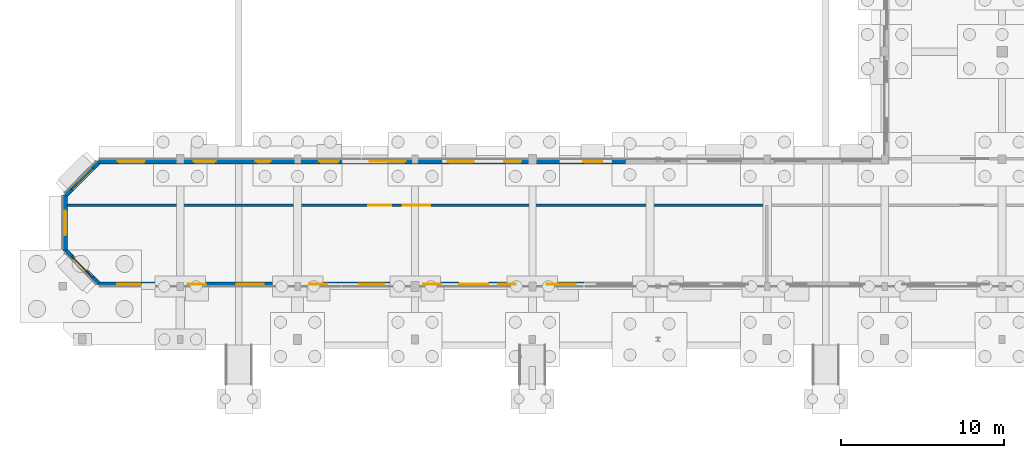
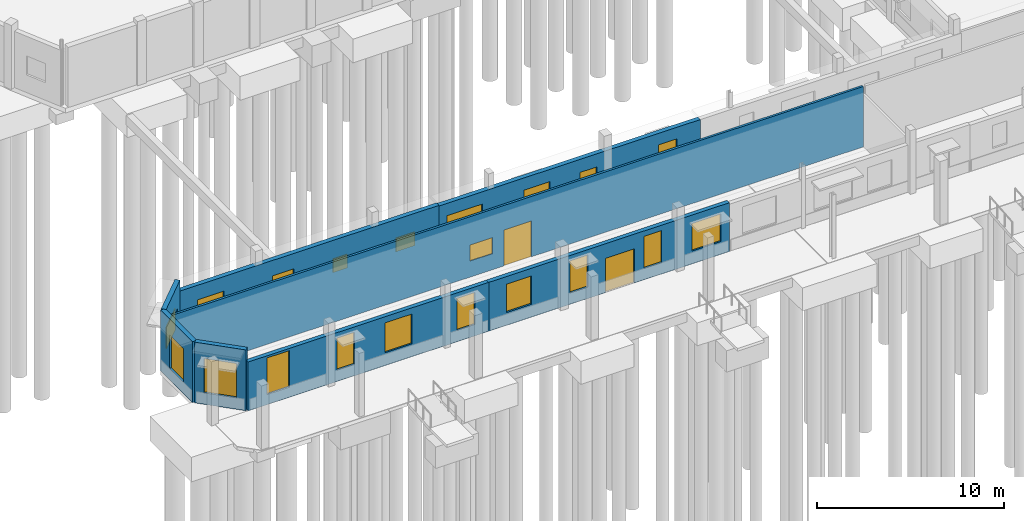
# One storey, part 61 of 93: 20 windows, 8 walls, 2 doors, 22 openings.
"""IFC4 building model written with IfcOpenShell, lengths in metres."""

import ifcopenshell
import ifcopenshell.guid

model = None  # the IFC model being written
_history = None  # IfcOwnerHistory: only IFC2X3 demands one
_inside = {}  # id of a spatial element -> (the spatial element, [elements in it])
_under = {}  # id of a project, library or spatial element -> (it, [spatial elements below it])
_declared = {}  # id of a project -> (the project, [libraries it declares])
_typed = {}  # id of a type object -> (the type object, [elements of that type])
_made_of = {}  # id of a material, layer set ... -> (it, [elements and type objects made of it])


def new_model(schema):
    """Start an empty IFC model of exactly this schema.

    Asked for "IFC4X3", IfcOpenShell would pick the latest addendum, in which some entities
    have other attributes; the version numbers below select the first issue.
    IFC2X3 requires an IfcOwnerHistory on every rooted entity: one is made here for all.
    """
    global model, _history
    if schema == "IFC4X3":
        model = ifcopenshell.file(schema_version=(4, 3, 0, 0))
    else:
        model = ifcopenshell.file(schema=schema)
    _inside.clear()
    _under.clear()
    _declared.clear()
    _typed.clear()
    _made_of.clear()
    _history = None
    if model.schema == "IFC2X3":
        org = make("IfcOrganization", Name="unknown")
        user = make(
            "IfcPersonAndOrganization",
            ThePerson=make("IfcPerson", FamilyName="unknown"),
            TheOrganization=org,
        )
        app = make(
            "IfcApplication",
            ApplicationDeveloper=org,
            Version="unknown",
            ApplicationFullName="unknown",
            ApplicationIdentifier="unknown",
        )
        _history = make(
            "IfcOwnerHistory",
            OwningUser=user,
            OwningApplication=app,
            ChangeAction="ADDED",
            CreationDate=0,
        )
    return model


def make(cls, **values):
    """One entity of the class cls with the attributes given. An attribute that is None is left unset."""
    return model.create_entity(
        cls, **{name: value for name, value in values.items() if value is not None}
    )


def rooted(cls, **values):
    """An entity with a GlobalId (a new one), such as an element, a storey or a relation."""
    return make(cls, GlobalId=ifcopenshell.guid.new(), OwnerHistory=_history, **values)


def si_unit(unit_type, name, prefix=None):
    """IfcSIUnit, for example si_unit("LENGTHUNIT", "METRE", prefix="MILLI")."""
    return make("IfcSIUnit", UnitType=unit_type, Prefix=prefix, Name=name)


def assignment(units):
    """IfcUnitAssignment: the units of a project."""
    return None if units is None else make("IfcUnitAssignment", Units=units)


def point(xyz):
    """IfcCartesianPoint."""
    return None if xyz is None else make("IfcCartesianPoint", Coordinates=xyz)


def direction(xyz):
    """IfcDirection."""
    return None if xyz is None else make("IfcDirection", DirectionRatios=xyz)


def frame(location, z_axis=None, x_axis=None):
    """IfcAxis2Placement3D, a coordinate frame: its origin and axes. An axis left out is left unset."""
    return make(
        "IfcAxis2Placement3D",
        Location=point(location),
        Axis=direction(z_axis),
        RefDirection=direction(x_axis),
    )


def frame_2d(location, x_axis=None):
    """IfcAxis2Placement2D, a coordinate frame in the plane: its origin and x axis."""
    return make(
        "IfcAxis2Placement2D", Location=point(location), RefDirection=direction(x_axis)
    )


def origin():
    """The frame at (0, 0, 0) with its axes left unset."""
    return frame((0.0, 0.0, 0.0))


def place(relative_to, where):
    """IfcLocalPlacement: puts the frame where relative to a parent placement (None: the world)."""
    return make(
        "IfcLocalPlacement", PlacementRelTo=relative_to, RelativePlacement=where
    )


def context(
    kind, dimensions, precision=None, world=None, true_north=None, identifier=None
):
    """IfcGeometricRepresentationContext, for example the 3D "Model" context."""
    return make(
        "IfcGeometricRepresentationContext",
        ContextIdentifier=identifier,
        ContextType=kind,
        CoordinateSpaceDimension=dimensions,
        Precision=precision,
        WorldCoordinateSystem=world,
        TrueNorth=true_north,
    )


def subcontext(parent, identifier, kind, view, scale=None):
    """IfcGeometricRepresentationSubContext, for example "Body" below "Model"."""
    return make(
        "IfcGeometricRepresentationSubContext",
        ContextIdentifier=identifier,
        ContextType=kind,
        ParentContext=parent,
        TargetScale=scale,
        TargetView=view,
    )


def project(units=None, contexts=None):
    """IfcProject with its units and contexts."""
    return rooted(
        "IfcProject",
        Name="project",
        RepresentationContexts=contexts,
        UnitsInContext=assignment(units),
    )


def spatial(cls, under=None, at=None, **own):
    """A site, building, storey or space (cls), placed at a placement, below another one or the project."""
    s = rooted(cls, ObjectPlacement=at, **own)
    if under is not None:
        _under.setdefault(under.id(), (under, []))[1].append(s)
    return s


def profile(cls, at=None, kind="AREA", **sizes):
    """A parametric profile (cls). Its sizes go by their IFC names, for example OverallWidth=200.0."""
    return make(cls, ProfileType=kind, Position=at, **sizes)


def rectangle(**sizes):
    """IfcRectangleProfileDef."""
    return profile("IfcRectangleProfileDef", **sizes)


def extrude(swept, where, along, depth):
    """IfcExtrudedAreaSolid: the profile swept, set in the frame where, extruded along a direction by depth."""
    return make(
        "IfcExtrudedAreaSolid",
        SweptArea=swept,
        Position=where,
        ExtrudedDirection=direction(along),
        Depth=depth,
    )


def shape(context_of_items, identifier, shape_type, items):
    """IfcShapeRepresentation: the items that make up one representation, for example the "Body"."""
    return make(
        "IfcShapeRepresentation",
        ContextOfItems=context_of_items,
        RepresentationIdentifier=identifier,
        RepresentationType=shape_type,
        Items=items,
    )


def material(Name=None, Category=None):
    """IfcMaterial."""
    return make("IfcMaterial", Name=Name, Category=Category)


def layer(
    of_material, thickness, ventilated=None, Name=None, Category=None, Priority=None
):
    """IfcMaterialLayer: one layer of a wall or slab, of a material (None: an air gap)."""
    return make(
        "IfcMaterialLayer",
        Material=of_material,
        LayerThickness=thickness,
        IsVentilated=ventilated,
        Name=Name,
        Category=Category,
        Priority=Priority,
    )


def layer_set(layers, Name=None):
    """IfcMaterialLayerSet."""
    return make("IfcMaterialLayerSet", MaterialLayers=layers, LayerSetName=Name)


def made_of(thing, what):
    """Note that an element or type object is made of a material, layer set ...; save() writes the relation."""
    if what is not None:
        _made_of.setdefault(what.id(), (what, []))[1].append(thing)
    return thing


def type_object(cls, material=None, **own):
    """A type object (cls), such as IfcWallType, which elements share."""
    return made_of(rooted(cls, **own), material)


def element(
    cls,
    number,
    at=None,
    inside=None,
    cuts=None,
    type_object=None,
    material=None,
    context=None,
    identifier="Body",
    shape_type=None,
    held_by="IfcProductDefinitionShape",
    body=None,
    shapes=None,
    **own,
):
    """One element of the class cls, such as IfcWall. Its Tag is "e" and its number.

    at: its placement. inside: the storey or other place that contains it. cuts: it is an
    opening in that element (IfcRelVoidsElement). A single representation is given by context,
    identifier, shape_type and body (its items); several are given by shapes. held_by: the class
    of the entity that holds the representations. save() writes the other relations.
    """
    e = rooted(cls, Tag="e%d" % number, ObjectPlacement=at, **own)
    if body is not None:
        shapes = [shape(context, identifier, shape_type, body)]
    if shapes is not None:
        e.Representation = make(held_by, Representations=shapes)
    if inside is not None:
        _inside.setdefault(inside.id(), (inside, []))[1].append(e)
    if cuts is not None:
        rooted(
            "IfcRelVoidsElement", RelatingBuildingElement=cuts, RelatedOpeningElement=e
        )
    if type_object is not None:
        _typed.setdefault(type_object.id(), (type_object, []))[1].append(e)
    return made_of(e, material)


def fill(opening, filler):
    """IfcRelFillsElement: the door or window that sits in an opening."""
    return rooted(
        "IfcRelFillsElement",
        RelatingOpeningElement=opening,
        RelatedBuildingElement=filler,
    )


def aggregate(whole, parts):
    """IfcRelAggregates: a whole, such as a stair, and the parts it consists of."""
    return rooted("IfcRelAggregates", RelatingObject=whole, RelatedObjects=parts)


def save(model, path):
    """Write the relations noted so far, then the file.

    IfcRelAggregates (storeys below a building ...), IfcRelContainedInSpatialStructure (elements
    in a storey), IfcRelDefinesByType, IfcRelAssociatesMaterial and IfcRelDeclares: one each for
    every whole, place, type object, material and project.
    """
    for whole, parts in _under.values():
        aggregate(whole, parts)
    for where, things in _inside.values():
        rooted(
            "IfcRelContainedInSpatialStructure",
            RelatedElements=things,
            RelatingStructure=where,
        )
    for kind, things in _typed.values():
        rooted("IfcRelDefinesByType", RelatedObjects=things, RelatingType=kind)
    for what, things in _made_of.values():
        rooted("IfcRelAssociatesMaterial", RelatedObjects=things, RelatingMaterial=what)
    for by, libraries in _declared.values():
        rooted("IfcRelDeclares", RelatingContext=by, RelatedDefinitions=libraries)
    model.write(path)


model = new_model("IFC4")

# Units and contexts
model_context = context("Model", 3, precision=1e-05, world=origin(), true_north=direction((0.0, 1.0)))
body_context = subcontext(model_context, "Body", "Model", "MODEL_VIEW")
ifc_project = project(units=[si_unit("LENGTHUNIT", "METRE"), si_unit("AREAUNIT", "SQUARE_METRE"), si_unit("VOLUMEUNIT", "CUBIC_METRE"), si_unit("PLANEANGLEUNIT", "RADIAN"), si_unit("MASSUNIT", "GRAM", prefix="KILO")], contexts=[model_context])

# Site, building, storey
site_placement = place(None, origin())
site = spatial("IfcSite", under=ifc_project, at=site_placement, CompositionType="ELEMENT")
building_placement = place(site_placement, origin())
building = spatial("IfcBuilding", under=site, at=building_placement, Name="Kelanivale Promenade Academy", CompositionType="ELEMENT")
storey_placement = place(building_placement, origin())
storey = spatial("IfcBuildingStorey", under=building, at=storey_placement, Name="L00", CompositionType="ELEMENT", Elevation=0.0)

# Wall, openings, windows
ifc_material_1 = material(Name="Insulated ivory stucco masonry wall 280 mm", Category="masonry")
ifc_layer_1 = layer(ifc_material_1, 0.280029296875)
ifc_layer_set_1 = layer_set([ifc_layer_1], Name="Insulated ivory stucco masonry wall 280 mm")
wall_type_1 = type_object("IfcWallType", Name="EW-02 Wall 280mm", PredefinedType="SOLIDWALL", material=ifc_layer_set_1)
wall_1_placement = place(storey_placement, frame((34.514892578125, 11.260009765625, 0.0), z_axis=(0.0, 0.0, 1.0), x_axis=(-1.0, 0.0, 0.0)))
wall_1 = element("IfcWall", 1, at=wall_1_placement, inside=storey, type_object=wall_type_1, Name="L00 exterior facade wall EW-L00-ORT-0327", PredefinedType="SOLIDWALL", context=body_context, shape_type="SweptSolid", body=[
    extrude(rectangle(XDim=16.163818359375, YDim=0.280029296875, at=frame_2d((8.08203125, 0.0))), origin(), (0.0, 0.0, 1.0), 3.205078125),
])
opening_1_placement = place(wall_1_placement, frame((1.446044921875, 0.0, 1.050048828125)))
opening_1 = element("IfcOpeningElement", 2, at=opening_1_placement, cuts=wall_1, Name="Opening WT-29", PredefinedType="OPENING", context=body_context, shape_type="SweptSolid", body=[
    extrude(rectangle(XDim=1.14990234375, YDim=1.39990234375, at=frame_2d((0.574951171875, 0.699951171875))), frame((0.0, 0.14990234375, 0.0), z_axis=(0.0, -1.0, 0.0), x_axis=(1.0, 0.0, 0.0)), (0.0, 0.0, 1.0), 0.300048828125),
])
opening_2_placement = place(wall_1_placement, frame((6.385986328125, 0.0, 1.050048828125)))
opening_2 = element("IfcOpeningElement", 3, at=opening_2_placement, cuts=wall_1, Name="Opening WT-30", PredefinedType="OPENING", context=body_context, shape_type="SweptSolid", body=[
    extrude(rectangle(XDim=1.050048828125, YDim=1.300048828125, at=frame_2d((0.52490234375, 0.64990234375))), frame((0.0, 0.14990234375, 0.0), z_axis=(0.0, -1.0, 0.0), x_axis=(1.0, 0.0, 0.0)), (0.0, 0.0, 1.0), 0.300048828125),
])
opening_3_placement = place(wall_1_placement, frame((9.302978515625, 0.0, 1.050048828125)))
opening_3 = element("IfcOpeningElement", 4, at=opening_3_placement, cuts=wall_1, Name="Opening WT-07", PredefinedType="OPENING", context=body_context, shape_type="SweptSolid", body=[
    extrude(rectangle(XDim=1.60009765625, YDim=1.35009765625, at=frame_2d((0.800048828125, 0.675048828125))), frame((0.0, 0.14990234375, 0.0), z_axis=(0.0, -1.0, 0.0), x_axis=(1.0, 0.0, 0.0)), (0.0, 0.0, 1.0), 0.300048828125),
])
opening_4_placement = place(wall_1_placement, frame((13.493896484375, 0.0, 1.050048828125)))
opening_4 = element("IfcOpeningElement", 5, at=opening_4_placement, cuts=wall_1, Name="Opening WT-08", PredefinedType="OPENING", context=body_context, shape_type="SweptSolid", body=[
    extrude(rectangle(XDim=2.199951171875, YDim=1.35009765625, at=frame_2d((1.10009765625, 0.675048828125))), frame((0.0, 0.14990234375, 0.0), z_axis=(0.0, -1.0, 0.0), x_axis=(1.0, 0.0, 0.0)), (0.0, 0.0, 1.0), 0.300048828125),
])
ifc_material_2 = material(Name="Bronze anodised aluminium frame with low-E laminated glass", Category="aluminium")
window_type_1 = type_object("IfcWindowType", Name="WT-07 Window 1600x1350", PartitioningType="SINGLE_PANEL", PredefinedType="WINDOW", material=ifc_material_2)
window_1_placement = place(opening_3_placement, origin())
window_1 = element("IfcWindow", 6, at=window_1_placement, inside=storey, type_object=window_type_1, Name="Window WT-07", OverallHeight=1.35009765625, OverallWidth=1.60009765625, PartitioningType="SINGLE_PANEL", PredefinedType="WINDOW", context=body_context, shape_type="SweptSolid", body=[
    extrude(rectangle(XDim=1.60009765625, YDim=1.35009765625, at=frame_2d((0.800048828125, 0.675048828125))), frame((0.0, 0.030029296875, 0.0), z_axis=(0.0, -1.0, 0.0), x_axis=(1.0, 0.0, 0.0)), (0.0, 0.0, 1.0), 0.06005859375),
])
fill(opening_3, window_1)
window_type_2 = type_object("IfcWindowType", Name="WT-08 Window 2200x1350", PartitioningType="SINGLE_PANEL", PredefinedType="WINDOW", material=ifc_material_2)
window_2_placement = place(opening_4_placement, origin())
window_2 = element("IfcWindow", 7, at=window_2_placement, inside=storey, type_object=window_type_2, Name="Window WT-08", OverallHeight=1.35009765625, OverallWidth=2.199951171875, PartitioningType="SINGLE_PANEL", PredefinedType="WINDOW", context=body_context, shape_type="SweptSolid", body=[
    extrude(rectangle(XDim=2.199951171875, YDim=1.35009765625, at=frame_2d((1.10009765625, 0.675048828125))), frame((0.0, 0.030029296875, 0.0), z_axis=(0.0, -1.0, 0.0), x_axis=(1.0, 0.0, 0.0)), (0.0, 0.0, 1.0), 0.06005859375),
])
fill(opening_4, window_2)
window_type_3 = type_object("IfcWindowType", Name="WT-29 Window 1150x1400", PartitioningType="SINGLE_PANEL", PredefinedType="WINDOW", material=ifc_material_2)
window_3_placement = place(opening_1_placement, origin())
window_3 = element("IfcWindow", 8, at=window_3_placement, inside=storey, type_object=window_type_3, Name="Window WT-29", OverallHeight=1.39990234375, OverallWidth=1.14990234375, PartitioningType="SINGLE_PANEL", PredefinedType="WINDOW", context=body_context, shape_type="SweptSolid", body=[
    extrude(rectangle(XDim=1.14990234375, YDim=1.39990234375, at=frame_2d((0.574951171875, 0.699951171875))), frame((0.0, 0.030029296875, 0.0), z_axis=(0.0, -1.0, 0.0), x_axis=(1.0, 0.0, 0.0)), (0.0, 0.0, 1.0), 0.06005859375),
])
fill(opening_1, window_3)
window_type_4 = type_object("IfcWindowType", Name="WT-30 Window 1050x1300", PartitioningType="SINGLE_PANEL", PredefinedType="WINDOW", material=ifc_material_2)
window_4_placement = place(opening_2_placement, origin())
window_4 = element("IfcWindow", 9, at=window_4_placement, inside=storey, type_object=window_type_4, Name="Window WT-30", OverallHeight=1.300048828125, OverallWidth=1.050048828125, PartitioningType="SINGLE_PANEL", PredefinedType="WINDOW", context=body_context, shape_type="SweptSolid", body=[
    extrude(rectangle(XDim=1.050048828125, YDim=1.300048828125, at=frame_2d((0.52490234375, 0.64990234375))), frame((0.0, 0.030029296875, 0.0), z_axis=(0.0, -1.0, 0.0), x_axis=(1.0, 0.0, 0.0)), (0.0, 0.0, 1.0), 0.06005859375),
])
fill(opening_2, window_4)

wall_2_placement = place(storey_placement, frame((18.35107421875, 11.260009765625, 0.0), z_axis=(0.0, 0.0, 1.0), x_axis=(-1.0, 0.0, 0.0)))
wall_2 = element("IfcWall", 10, at=wall_2_placement, inside=storey, type_object=wall_type_1, Name="L00 exterior facade wall EW-L00-ORT-0328", PredefinedType="SOLIDWALL", context=body_context, shape_type="SweptSolid", body=[
    extrude(rectangle(XDim=16.1650390625, YDim=0.280029296875, at=frame_2d((8.08251953125, 0.0))), origin(), (0.0, 0.0, 1.0), 3.2548828125),
])
opening_5_placement = place(wall_2_placement, frame((1.4208984375, 0.0, 1.050048828125)))
opening_5 = element("IfcOpeningElement", 11, at=opening_5_placement, cuts=wall_2, Name="Opening WT-09", PredefinedType="OPENING", context=body_context, shape_type="SweptSolid", body=[
    extrude(rectangle(XDim=1.199951171875, YDim=0.89990234375, at=frame_2d((0.60009765625, 0.449951171875))), frame((0.0, 0.14990234375, 0.0), z_axis=(0.0, -1.0, 0.0), x_axis=(1.0, 0.0, 0.0)), (0.0, 0.0, 1.0), 0.300048828125),
])
opening_6_placement = place(wall_2_placement, frame((5.612060546875, 0.0, 1.050048828125)))
opening_6 = element("IfcOpeningElement", 12, at=opening_6_placement, cuts=wall_2, Name="Opening WT-10", PredefinedType="OPENING", context=body_context, shape_type="SweptSolid", body=[
    extrude(rectangle(XDim=0.89990234375, YDim=0.89990234375, at=frame_2d((0.449951171875, 0.449951171875))), frame((0.0, 0.14990234375, 0.0), z_axis=(0.0, -1.0, 0.0), x_axis=(1.0, 0.0, 0.0)), (0.0, 0.0, 1.0), 0.300048828125),
])
opening_7_placement = place(wall_2_placement, frame((8.97802734375, 0.0, 1.050048828125)))
opening_7 = element("IfcOpeningElement", 13, at=opening_7_placement, cuts=wall_2, Name="Opening WT-34", PredefinedType="OPENING", context=body_context, shape_type="SweptSolid", body=[
    extrude(rectangle(XDim=1.35009765625, YDim=1.199951171875, at=frame_2d((0.675048828125, 0.60009765625))), frame((0.0, 0.14990234375, 0.0), z_axis=(0.0, -1.0, 0.0), x_axis=(1.0, 0.0, 0.0)), (0.0, 0.0, 1.0), 0.300048828125),
])
opening_8_placement = place(wall_2_placement, frame((13.319091796875, 0.0, 1.050048828125)))
opening_8 = element("IfcOpeningElement", 14, at=opening_8_placement, cuts=wall_2, Name="Opening WT-35", PredefinedType="OPENING", context=body_context, shape_type="SweptSolid", body=[
    extrude(rectangle(XDim=1.64990234375, YDim=1.25, at=frame_2d((0.824951171875, 0.625))), frame((0.0, 0.14990234375, 0.0), z_axis=(0.0, -1.0, 0.0), x_axis=(1.0, 0.0, 0.0)), (0.0, 0.0, 1.0), 0.300048828125),
])
window_type_5 = type_object("IfcWindowType", Name="WT-09 Window 1200x900", PartitioningType="SINGLE_PANEL", PredefinedType="WINDOW", material=ifc_material_2)
window_5_placement = place(opening_5_placement, origin())
window_5 = element("IfcWindow", 15, at=window_5_placement, inside=storey, type_object=window_type_5, Name="Window WT-09", OverallHeight=0.89990234375, OverallWidth=1.199951171875, PartitioningType="SINGLE_PANEL", PredefinedType="WINDOW", context=body_context, shape_type="SweptSolid", body=[
    extrude(rectangle(XDim=1.199951171875, YDim=0.89990234375, at=frame_2d((0.60009765625, 0.449951171875))), frame((0.0, 0.030029296875, 0.0), z_axis=(0.0, -1.0, 0.0), x_axis=(1.0, 0.0, 0.0)), (0.0, 0.0, 1.0), 0.06005859375),
])
fill(opening_5, window_5)
window_type_6 = type_object("IfcWindowType", Name="WT-10 Window 900x900", PartitioningType="SINGLE_PANEL", PredefinedType="WINDOW", material=ifc_material_2)
window_6_placement = place(opening_6_placement, origin())
window_6 = element("IfcWindow", 16, at=window_6_placement, inside=storey, type_object=window_type_6, Name="Window WT-10", OverallHeight=0.89990234375, OverallWidth=0.89990234375, PartitioningType="SINGLE_PANEL", PredefinedType="WINDOW", context=body_context, shape_type="SweptSolid", body=[
    extrude(rectangle(XDim=0.89990234375, YDim=0.89990234375, at=frame_2d((0.449951171875, 0.449951171875))), frame((0.0, 0.030029296875, 0.0), z_axis=(0.0, -1.0, 0.0), x_axis=(1.0, 0.0, 0.0)), (0.0, 0.0, 1.0), 0.06005859375),
])
fill(opening_6, window_6)
window_type_7 = type_object("IfcWindowType", Name="WT-34 Window 1350x1200", PartitioningType="SINGLE_PANEL", PredefinedType="WINDOW", material=ifc_material_2)
window_7_placement = place(opening_7_placement, origin())
window_7 = element("IfcWindow", 17, at=window_7_placement, inside=storey, type_object=window_type_7, Name="Window WT-34", OverallHeight=1.199951171875, OverallWidth=1.35009765625, PartitioningType="SINGLE_PANEL", PredefinedType="WINDOW", context=body_context, shape_type="SweptSolid", body=[
    extrude(rectangle(XDim=1.35009765625, YDim=1.199951171875, at=frame_2d((0.675048828125, 0.60009765625))), frame((0.0, 0.030029296875, 0.0), z_axis=(0.0, -1.0, 0.0), x_axis=(1.0, 0.0, 0.0)), (0.0, 0.0, 1.0), 0.06005859375),
])
fill(opening_7, window_7)
window_type_8 = type_object("IfcWindowType", Name="WT-35 Window 1650x1250", PartitioningType="SINGLE_PANEL", PredefinedType="WINDOW", material=ifc_material_2)
window_8_placement = place(opening_8_placement, origin())
window_8 = element("IfcWindow", 18, at=window_8_placement, inside=storey, type_object=window_type_8, Name="Window WT-35", OverallHeight=1.25, OverallWidth=1.64990234375, PartitioningType="SINGLE_PANEL", PredefinedType="WINDOW", context=body_context, shape_type="SweptSolid", body=[
    extrude(rectangle(XDim=1.64990234375, YDim=1.25, at=frame_2d((0.824951171875, 0.625))), frame((0.0, 0.030029296875, 0.0), z_axis=(0.0, -1.0, 0.0), x_axis=(1.0, 0.0, 0.0)), (0.0, 0.0, 1.0), 0.06005859375),
])
fill(opening_8, window_8)

# Wall, opening, window
wall_3_placement = place(storey_placement, frame((2.197998046875, 11.216064453125, 0.0), z_axis=(0.0, 0.0, 1.0), x_axis=(-0.707063922334, -0.707149637442, 0.0)))
wall_3 = element("IfcWall", 19, at=wall_3_placement, inside=storey, type_object=wall_type_1, Name="L00 exterior facade wall EW-L00-ORT-0329", PredefinedType="SOLIDWALL", context=body_context, shape_type="SweptSolid", body=[
    extrude(rectangle(XDim=2.848388671875, YDim=0.280029296875, at=frame_2d((1.42431640625, 0.0))), origin(), (0.0, 0.0, 1.0), 3.97998046875),
])
opening_9_placement = place(wall_3_placement, frame((0.4990234375, 0.0, 1.050048828125)))
opening_9 = element("IfcOpeningElement", 20, at=opening_9_placement, cuts=wall_3, Name="Opening WT-36", PredefinedType="OPENING", context=body_context, shape_type="SweptSolid", body=[
    extrude(rectangle(XDim=1.85009765625, YDim=1.39990234375, at=frame_2d((0.925048828125, 0.699951171875))), frame((0.0, 0.14990234375, 0.0), z_axis=(0.0, -1.0, 0.0), x_axis=(1.0, 0.0, 0.0)), (0.0, 0.0, 1.0), 0.300048828125),
])
window_type_9 = type_object("IfcWindowType", Name="WT-36 Window 1850x1400", PartitioningType="SINGLE_PANEL", PredefinedType="WINDOW", material=ifc_material_2)
window_9_placement = place(opening_9_placement, origin())
window_9 = element("IfcWindow", 21, at=window_9_placement, inside=storey, type_object=window_type_9, Name="Window WT-36", OverallHeight=1.39990234375, OverallWidth=1.85009765625, PartitioningType="SINGLE_PANEL", PredefinedType="WINDOW", context=body_context, shape_type="SweptSolid", body=[
    extrude(rectangle(XDim=1.85009765625, YDim=1.39990234375, at=frame_2d((0.925048828125, 0.699951171875))), frame((0.0, 0.030029296875, 0.0), z_axis=(0.0, -1.0, 0.0), x_axis=(1.0, 0.0, 0.0)), (0.0, 0.0, 1.0), 0.06005859375),
])
fill(opening_9, window_9)

wall_4_placement = place(storey_placement, frame((0.139892578125, 9.214111328125, 0.0), z_axis=(0.0, 0.0, 1.0), x_axis=(0.0, -1.0, 0.0)))
wall_4 = element("IfcWall", 22, at=wall_4_placement, inside=storey, type_object=wall_type_1, Name="L00 exterior facade wall EW-L00-ORT-0330", PredefinedType="SOLIDWALL", context=body_context, shape_type="SweptSolid", body=[
    extrude(rectangle(XDim=3.42822265625, YDim=0.280029296875, at=frame_2d((1.714111328125, 0.0))), origin(), (0.0, 0.0, 1.0), 3.97998046875),
])
opening_10_placement = place(wall_4_placement, frame((0.964111328125, 0.0, 0.75)))
opening_10 = element("IfcOpeningElement", 23, at=opening_10_placement, cuts=wall_4, Name="Opening WT-11", PredefinedType="OPENING", context=body_context, shape_type="SweptSolid", body=[
    extrude(rectangle(XDim=1.5, YDim=2.199951171875, at=frame_2d((0.75, 1.10009765625))), frame((0.0, 0.14990234375, 0.0), z_axis=(0.0, -1.0, 0.0), x_axis=(1.0, 0.0, 0.0)), (0.0, 0.0, 1.0), 0.300048828125),
])
window_type_10 = type_object("IfcWindowType", Name="WT-11 Window 1500x2200", PartitioningType="SINGLE_PANEL", PredefinedType="WINDOW", material=ifc_material_2)
window_10_placement = place(opening_10_placement, origin())
window_10 = element("IfcWindow", 24, at=window_10_placement, inside=storey, type_object=window_type_10, Name="Window WT-11", OverallHeight=2.199951171875, OverallWidth=1.5, PartitioningType="SINGLE_PANEL", PredefinedType="WINDOW", context=body_context, shape_type="SweptSolid", body=[
    extrude(rectangle(XDim=1.5, YDim=2.199951171875, at=frame_2d((0.75, 1.10009765625))), frame((0.0, 0.030029296875, 0.0), z_axis=(0.0, -1.0, 0.0), x_axis=(1.0, 0.0, 0.0)), (0.0, 0.0, 1.0), 0.06005859375),
])
fill(opening_10, window_10)

wall_5_placement = place(storey_placement, frame((0.18408203125, 5.798095703125, 0.0), z_axis=(0.0, 0.0, 1.0), x_axis=(0.707063922334, -0.707149637442, 0.0)))
wall_5 = element("IfcWall", 25, at=wall_5_placement, inside=storey, type_object=wall_type_1, Name="L00 exterior facade wall EW-L00-ORT-0331", PredefinedType="SOLIDWALL", context=body_context, shape_type="SweptSolid", body=[
    extrude(rectangle(XDim=2.848388671875, YDim=0.280029296875, at=frame_2d((1.42431640625, 0.0))), origin(), (0.0, 0.0, 1.0), 3.97998046875),
])
opening_11_placement = place(wall_5_placement, frame((0.52392578125, 0.0, 0.75)))
opening_11 = element("IfcOpeningElement", 26, at=opening_11_placement, cuts=wall_5, Name="Opening WT-12", PredefinedType="OPENING", context=body_context, shape_type="SweptSolid", body=[
    extrude(rectangle(XDim=1.800048828125, YDim=2.25, at=frame_2d((0.89990234375, 1.125))), frame((0.0, 0.14990234375, 0.0), z_axis=(0.0, -1.0, 0.0), x_axis=(1.0, 0.0, 0.0)), (0.0, 0.0, 1.0), 0.300048828125),
])
window_type_11 = type_object("IfcWindowType", Name="WT-12 Window 1800x2250", PartitioningType="SINGLE_PANEL", PredefinedType="WINDOW", material=ifc_material_2)
window_11_placement = place(opening_11_placement, origin())
window_11 = element("IfcWindow", 27, at=window_11_placement, inside=storey, type_object=window_type_11, Name="Window WT-12", OverallHeight=2.25, OverallWidth=1.800048828125, PartitioningType="SINGLE_PANEL", PredefinedType="WINDOW", context=body_context, shape_type="SweptSolid", body=[
    extrude(rectangle(XDim=1.800048828125, YDim=2.25, at=frame_2d((0.89990234375, 1.125))), frame((0.0, 0.030029296875, 0.0), z_axis=(0.0, -1.0, 0.0), x_axis=(1.0, 0.0, 0.0)), (0.0, 0.0, 1.0), 0.06005859375),
])
fill(opening_11, window_11)

# Wall, openings, windows
ifc_material_3 = material(Name="Insulated granite-faced masonry wall 260 mm", Category="masonry")
ifc_layer_2 = layer(ifc_material_3, 0.260009765625)
ifc_layer_set_2 = layer_set([ifc_layer_2], Name="Insulated granite-faced masonry wall 260 mm")
wall_type_2 = type_object("IfcWallType", Name="EW-03 Wall 260mm", PredefinedType="SOLIDWALL", material=ifc_layer_set_2)
wall_6_placement = place(storey_placement, frame((2.18994140625, 3.739990234375, 0.0), z_axis=(0.0, 0.0, 1.0), x_axis=(1.0, 0.0, 0.0)))
wall_6 = element("IfcWall", 28, at=wall_6_placement, inside=storey, type_object=wall_type_2, Name="L00 exterior facade wall EW-L00-ORT-0332", PredefinedType="SOLIDWALL", context=body_context, shape_type="SweptSolid", body=[
    extrude(rectangle(XDim=14.89306640625, YDim=0.260009765625, at=frame_2d((7.446533203125, 0.0))), origin(), (0.0, 0.0, 1.0), 3.205078125),
])
opening_12_placement = place(wall_6_placement, frame((1.162109375, 0.0, 0.6650390625)))
opening_12 = element("IfcOpeningElement", 29, at=opening_12_placement, cuts=wall_6, Name="Opening WT-13", PredefinedType="OPENING", context=body_context, shape_type="SweptSolid", body=[
    extrude(rectangle(XDim=1.39990234375, YDim=2.39990234375, at=frame_2d((0.699951171875, 1.199951171875))), frame((0.0, 0.14013671875, 0.0), z_axis=(0.0, -1.0, 0.0), x_axis=(1.0, 0.0, 0.0)), (0.0, 0.0, 1.0), 0.280029296875),
])
opening_13_placement = place(wall_6_placement, frame((5.485107421875, 0.0, 0.75)))
opening_13 = element("IfcOpeningElement", 30, at=opening_13_placement, cuts=wall_6, Name="Opening WT-17", PredefinedType="OPENING", context=body_context, shape_type="SweptSolid", body=[
    extrude(rectangle(XDim=1.10009765625, YDim=2.10009765625, at=frame_2d((0.550048828125, 1.050048828125))), frame((0.0, 0.14013671875, 0.0), z_axis=(0.0, -1.0, 0.0), x_axis=(1.0, 0.0, 0.0)), (0.0, 0.0, 1.0), 0.280029296875),
])
opening_14_placement = place(wall_6_placement, frame((8.48291015625, 0.0, 0.85009765625)))
opening_14 = element("IfcOpeningElement", 31, at=opening_14_placement, cuts=wall_6, Name="Opening WT-16", PredefinedType="OPENING", context=body_context, shape_type="SweptSolid", body=[
    extrude(rectangle(XDim=1.64990234375, YDim=1.949951171875, at=frame_2d((0.824951171875, 0.97509765625))), frame((0.0, 0.14013671875, 0.0), z_axis=(0.0, -1.0, 0.0), x_axis=(1.0, 0.0, 0.0)), (0.0, 0.0, 1.0), 0.280029296875),
])
opening_15_placement = place(wall_6_placement, frame((12.930908203125, 0.0, 0.75)))
opening_15 = element("IfcOpeningElement", 32, at=opening_15_placement, cuts=wall_6, Name="Opening WT-17", PredefinedType="OPENING", context=body_context, shape_type="SweptSolid", body=[
    extrude(rectangle(XDim=1.10009765625, YDim=2.10009765625, at=frame_2d((0.550048828125, 1.050048828125))), frame((0.0, 0.14013671875, 0.0), z_axis=(0.0, -1.0, 0.0), x_axis=(1.0, 0.0, 0.0)), (0.0, 0.0, 1.0), 0.280029296875),
])
window_type_12 = type_object("IfcWindowType", Name="WT-13 Window 1400x2400", PartitioningType="SINGLE_PANEL", PredefinedType="WINDOW", material=ifc_material_2)
window_12_placement = place(opening_12_placement, origin())
window_12 = element("IfcWindow", 33, at=window_12_placement, inside=storey, type_object=window_type_12, Name="Window WT-13", OverallHeight=2.39990234375, OverallWidth=1.39990234375, PartitioningType="SINGLE_PANEL", PredefinedType="WINDOW", context=body_context, shape_type="SweptSolid", body=[
    extrude(rectangle(XDim=1.39990234375, YDim=2.39990234375, at=frame_2d((0.699951171875, 1.199951171875))), frame((0.0, 0.030029296875, 0.0), z_axis=(0.0, -1.0, 0.0), x_axis=(1.0, 0.0, 0.0)), (0.0, 0.0, 1.0), 0.06005859375),
])
fill(opening_12, window_12)
window_type_13 = type_object("IfcWindowType", Name="WT-16 Window 1650x1950", PartitioningType="SINGLE_PANEL", PredefinedType="WINDOW", material=ifc_material_2)
window_13_placement = place(opening_14_placement, origin())
window_13 = element("IfcWindow", 34, at=window_13_placement, inside=storey, type_object=window_type_13, Name="Window WT-16", OverallHeight=1.949951171875, OverallWidth=1.64990234375, PartitioningType="SINGLE_PANEL", PredefinedType="WINDOW", context=body_context, shape_type="SweptSolid", body=[
    extrude(rectangle(XDim=1.64990234375, YDim=1.949951171875, at=frame_2d((0.824951171875, 0.97509765625))), frame((0.0, 0.030029296875, 0.0), z_axis=(0.0, -1.0, 0.0), x_axis=(1.0, 0.0, 0.0)), (0.0, 0.0, 1.0), 0.06005859375),
])
fill(opening_14, window_13)
window_type_14 = type_object("IfcWindowType", Name="WT-17 Window 1100x2100", PartitioningType="SINGLE_PANEL", PredefinedType="WINDOW", material=ifc_material_2)
window_14_placement = place(opening_13_placement, origin())
window_14 = element("IfcWindow", 35, at=window_14_placement, inside=storey, type_object=window_type_14, Name="Window WT-17", OverallHeight=2.10009765625, OverallWidth=1.10009765625, PartitioningType="SINGLE_PANEL", PredefinedType="WINDOW", context=body_context, shape_type="SweptSolid", body=[
    extrude(rectangle(XDim=1.10009765625, YDim=2.10009765625, at=frame_2d((0.550048828125, 1.050048828125))), frame((0.0, 0.030029296875, 0.0), z_axis=(0.0, -1.0, 0.0), x_axis=(1.0, 0.0, 0.0)), (0.0, 0.0, 1.0), 0.06005859375),
])
fill(opening_13, window_14)
window_15_placement = place(opening_15_placement, origin())
window_15 = element("IfcWindow", 36, at=window_15_placement, inside=storey, type_object=window_type_14, Name="Window WT-17", OverallHeight=2.10009765625, OverallWidth=1.10009765625, PartitioningType="SINGLE_PANEL", PredefinedType="WINDOW", context=body_context, shape_type="SweptSolid", body=[
    extrude(rectangle(XDim=1.10009765625, YDim=2.10009765625, at=frame_2d((0.550048828125, 1.050048828125))), frame((0.0, 0.030029296875, 0.0), z_axis=(0.0, -1.0, 0.0), x_axis=(1.0, 0.0, 0.0)), (0.0, 0.0, 1.0), 0.06005859375),
])
fill(opening_15, window_15)

# Wall, openings, door, windows
wall_7_placement = place(storey_placement, frame((17.0830078125, 3.739990234375, 0.0), z_axis=(0.0, 0.0, 1.0), x_axis=(1.0, 0.0, 0.0)))
wall_7 = element("IfcWall", 37, at=wall_7_placement, inside=storey, type_object=wall_type_2, Name="L00 exterior facade wall EW-L00-ORT-0333", PredefinedType="SOLIDWALL", context=body_context, shape_type="SweptSolid", body=[
    extrude(rectangle(XDim=14.89306640625, YDim=0.260009765625, at=frame_2d((7.446533203125, 0.0))), origin(), (0.0, 0.0, 1.0), 3.205078125),
])
opening_16_placement = place(wall_7_placement, frame((7.217041015625, 0.0, 0.0)))
opening_16 = element("IfcOpeningElement", 38, at=opening_16_placement, cuts=wall_7, Name="Opening ED-08", PredefinedType="OPENING", context=body_context, shape_type="SweptSolid", body=[
    extrude(rectangle(XDim=1.800048828125, YDim=2.25, at=frame_2d((0.89990234375, 1.125))), frame((0.0, 0.14013671875, 0.0), z_axis=(0.0, -1.0, 0.0), x_axis=(1.0, 0.0, 0.0)), (0.0, 0.0, 1.0), 0.280029296875),
])
opening_17_placement = place(wall_7_placement, frame((1.0869140625, 0.0, 0.85009765625)))
opening_17 = element("IfcOpeningElement", 39, at=opening_17_placement, cuts=wall_7, Name="Opening WT-31", PredefinedType="OPENING", context=body_context, shape_type="SweptSolid", body=[
    extrude(rectangle(XDim=1.550048828125, YDim=1.85009765625, at=frame_2d((0.77490234375, 0.925048828125))), frame((0.0, 0.14013671875, 0.0), z_axis=(0.0, -1.0, 0.0), x_axis=(1.0, 0.0, 0.0)), (0.0, 0.0, 1.0), 0.280029296875),
])
opening_18_placement = place(wall_7_placement, frame((5.034912109375, 0.0, 0.75)))
opening_18 = element("IfcOpeningElement", 40, at=opening_18_placement, cuts=wall_7, Name="Opening WT-17", PredefinedType="OPENING", context=body_context, shape_type="SweptSolid", body=[
    extrude(rectangle(XDim=1.10009765625, YDim=2.10009765625, at=frame_2d((0.550048828125, 1.050048828125))), frame((0.0, 0.14013671875, 0.0), z_axis=(0.0, -1.0, 0.0), x_axis=(1.0, 0.0, 0.0)), (0.0, 0.0, 1.0), 0.280029296875),
])
opening_19_placement = place(wall_7_placement, frame((9.60791015625, 0.0, 0.75)))
opening_19 = element("IfcOpeningElement", 41, at=opening_19_placement, cuts=wall_7, Name="Opening WT-17", PredefinedType="OPENING", context=body_context, shape_type="SweptSolid", body=[
    extrude(rectangle(XDim=1.10009765625, YDim=2.10009765625, at=frame_2d((0.550048828125, 1.050048828125))), frame((0.0, 0.14013671875, 0.0), z_axis=(0.0, -1.0, 0.0), x_axis=(1.0, 0.0, 0.0)), (0.0, 0.0, 1.0), 0.280029296875),
])
opening_20_placement = place(wall_7_placement, frame((12.5810546875, 0.0, 0.85009765625)))
opening_20 = element("IfcOpeningElement", 42, at=opening_20_placement, cuts=wall_7, Name="Opening WT-01", PredefinedType="OPENING", context=body_context, shape_type="SweptSolid", body=[
    extrude(rectangle(XDim=1.800048828125, YDim=1.800048828125, at=frame_2d((0.89990234375, 0.89990234375))), frame((0.0, 0.14013671875, 0.0), z_axis=(0.0, -1.0, 0.0), x_axis=(1.0, 0.0, 0.0)), (0.0, 0.0, 1.0), 0.280029296875),
])
ifc_material_4 = material(Name="Bronze anodised aluminium and laminated glass", Category="aluminium")
door_type_1 = type_object("IfcDoorType", Name="DT-X03 Door 1800x2250", OperationType="NOTDEFINED", PredefinedType="DOOR", material=ifc_material_4)
door_1_placement = place(opening_16_placement, frame((1.800048828125, 0.0, 0.0), z_axis=(0.0, 0.0, 1.0), x_axis=(-1.0, 0.0, 0.0)))
door_1 = element("IfcDoor", 43, at=door_1_placement, inside=storey, type_object=door_type_1, Name="Promenade Dining Hall final exit door ED-08", OperationType="DOUBLE_DOOR_SINGLE_SWING", OverallHeight=2.25, OverallWidth=1.800048828125, PredefinedType="DOOR", context=body_context, shape_type="SweptSolid", body=[
    extrude(rectangle(XDim=1.800048828125, YDim=2.25, at=frame_2d((0.89990234375, 1.125))), frame((0.0, 0.02490234375, 0.0), z_axis=(0.0, -1.0, 0.0), x_axis=(1.0, 0.0, 0.0)), (0.0, 0.0, 1.0), 0.050048828125),
])
fill(opening_16, door_1)
window_type_15 = type_object("IfcWindowType", Name="WT-01 Window 1800x1800", PartitioningType="SINGLE_PANEL", PredefinedType="WINDOW", material=ifc_material_2)
window_16_placement = place(opening_20_placement, origin())
window_16 = element("IfcWindow", 44, at=window_16_placement, inside=storey, type_object=window_type_15, Name="Window WT-01", OverallHeight=1.800048828125, OverallWidth=1.800048828125, PartitioningType="SINGLE_PANEL", PredefinedType="WINDOW", context=body_context, shape_type="SweptSolid", body=[
    extrude(rectangle(XDim=1.800048828125, YDim=1.800048828125, at=frame_2d((0.89990234375, 0.89990234375))), frame((0.0, 0.030029296875, 0.0), z_axis=(0.0, -1.0, 0.0), x_axis=(1.0, 0.0, 0.0)), (0.0, 0.0, 1.0), 0.06005859375),
])
fill(opening_20, window_16)
window_17_placement = place(opening_18_placement, origin())
window_17 = element("IfcWindow", 45, at=window_17_placement, inside=storey, type_object=window_type_14, Name="Window WT-17", OverallHeight=2.10009765625, OverallWidth=1.10009765625, PartitioningType="SINGLE_PANEL", PredefinedType="WINDOW", context=body_context, shape_type="SweptSolid", body=[
    extrude(rectangle(XDim=1.10009765625, YDim=2.10009765625, at=frame_2d((0.550048828125, 1.050048828125))), frame((0.0, 0.030029296875, 0.0), z_axis=(0.0, -1.0, 0.0), x_axis=(1.0, 0.0, 0.0)), (0.0, 0.0, 1.0), 0.06005859375),
])
fill(opening_18, window_17)
window_18_placement = place(opening_19_placement, origin())
window_18 = element("IfcWindow", 46, at=window_18_placement, inside=storey, type_object=window_type_14, Name="Window WT-17", OverallHeight=2.10009765625, OverallWidth=1.10009765625, PartitioningType="SINGLE_PANEL", PredefinedType="WINDOW", context=body_context, shape_type="SweptSolid", body=[
    extrude(rectangle(XDim=1.10009765625, YDim=2.10009765625, at=frame_2d((0.550048828125, 1.050048828125))), frame((0.0, 0.030029296875, 0.0), z_axis=(0.0, -1.0, 0.0), x_axis=(1.0, 0.0, 0.0)), (0.0, 0.0, 1.0), 0.06005859375),
])
fill(opening_19, window_18)
window_type_16 = type_object("IfcWindowType", Name="WT-31 Window 1550x1850", PartitioningType="SINGLE_PANEL", PredefinedType="WINDOW", material=ifc_material_2)
window_19_placement = place(opening_17_placement, origin())
window_19 = element("IfcWindow", 47, at=window_19_placement, inside=storey, type_object=window_type_16, Name="Window WT-31", OverallHeight=1.85009765625, OverallWidth=1.550048828125, PartitioningType="SINGLE_PANEL", PredefinedType="WINDOW", context=body_context, shape_type="SweptSolid", body=[
    extrude(rectangle(XDim=1.550048828125, YDim=1.85009765625, at=frame_2d((0.77490234375, 0.925048828125))), frame((0.0, 0.030029296875, 0.0), z_axis=(0.0, -1.0, 0.0), x_axis=(1.0, 0.0, 0.0)), (0.0, 0.0, 1.0), 0.06005859375),
])
fill(opening_17, window_19)

# Wall, openings, door, window
ifc_material_5 = material(Name="Acoustic double-stud gypsum board partition 140 mm", Category="masonry")
ifc_layer_3 = layer(ifc_material_5, 0.139892578125)
ifc_layer_set_3 = layer_set([ifc_layer_3], Name="Acoustic double-stud gypsum board partition 140 mm")
wall_type_3 = type_object("IfcWallType", Name="IW-04 Wall 140mm", PredefinedType="PARTITIONING", material=ifc_layer_set_3)
wall_8_placement = place(storey_placement, frame((43.10205078125, 8.570068359375, 0.0), z_axis=(0.0, 0.0, 1.0), x_axis=(-1.0, 0.0, 0.0)))
wall_8 = element("IfcWall", 48, at=wall_8_placement, inside=storey, type_object=wall_type_3, Name="L00 partition Promenade Dining Hall", PredefinedType="PARTITIONING", context=body_context, shape_type="SweptSolid", body=[
    extrude(rectangle(XDim=42.823974609375, YDim=0.139892578125, at=frame_2d((21.412109375, 0.0))), origin(), (0.0, 0.0, 1.0), 3.955078125),
])
opening_21_placement = place(wall_8_placement, frame((20.56201171875, 0.0, 0.0)))
opening_21 = element("IfcOpeningElement", 49, at=opening_21_placement, cuts=wall_8, Name="Opening ID-L00-022", PredefinedType="OPENING", context=body_context, shape_type="SweptSolid", body=[
    extrude(rectangle(XDim=1.699951171875, YDim=2.35009765625, at=frame_2d((0.85009765625, 1.175048828125))), frame((0.0, 0.080078125, 0.0), z_axis=(0.0, -1.0, 0.0), x_axis=(1.0, 0.0, 0.0)), (0.0, 0.0, 1.0), 0.159912109375),
])
opening_22_placement = place(wall_8_placement, frame((22.9619140625, 0.0, 1.050048828125)))
opening_22 = element("IfcOpeningElement", 50, at=opening_22_placement, cuts=wall_8, Name="Opening WT-I03", PredefinedType="OPENING", context=body_context, shape_type="SweptSolid", body=[
    extrude(rectangle(XDim=1.39990234375, YDim=1.050048828125, at=frame_2d((0.699951171875, 0.52490234375))), frame((0.0, 0.080078125, 0.0), z_axis=(0.0, -1.0, 0.0), x_axis=(1.0, 0.0, 0.0)), (0.0, 0.0, 1.0), 0.159912109375),
])
ifc_material_6 = material(Name="Solid-core tropical teak timber", Category="wood")
door_type_2 = type_object("IfcDoorType", Name="DT-I11 Door 1700x2350", OperationType="NOTDEFINED", PredefinedType="DOOR", material=ifc_material_6)
door_2_placement = place(opening_21_placement, frame((1.699951171875, 0.0, 0.0), z_axis=(0.0, 0.0, 1.0), x_axis=(-1.0, 0.0, 0.0)))
door_2 = element("IfcDoor", 51, at=door_2_placement, inside=storey, type_object=door_type_2, Name="Promenade Dining Hall door ID-L00-022", OperationType="DOUBLE_DOOR_SINGLE_SWING", OverallHeight=2.35009765625, OverallWidth=1.699951171875, PredefinedType="DOOR", context=body_context, shape_type="SweptSolid", body=[
    extrude(rectangle(XDim=1.699951171875, YDim=2.35009765625, at=frame_2d((0.85009765625, 1.175048828125))), frame((0.0, 0.02490234375, 0.0), z_axis=(0.0, -1.0, 0.0), x_axis=(1.0, 0.0, 0.0)), (0.0, 0.0, 1.0), 0.050048828125),
])
fill(opening_21, door_2)
window_type_17 = type_object("IfcWindowType", Name="WT-I03 Window 1400x1050", PartitioningType="SINGLE_PANEL", PredefinedType="WINDOW", material=ifc_material_2)
window_20_placement = place(opening_22_placement, origin())
window_20 = element("IfcWindow", 52, at=window_20_placement, inside=storey, type_object=window_type_17, Name="Interior observation window WT-I03", OverallHeight=1.050048828125, OverallWidth=1.39990234375, PartitioningType="SINGLE_PANEL", PredefinedType="WINDOW", context=body_context, shape_type="SweptSolid", body=[
    extrude(rectangle(XDim=1.39990234375, YDim=1.050048828125, at=frame_2d((0.699951171875, 0.52490234375))), frame((0.0, 0.030029296875, 0.0), z_axis=(0.0, -1.0, 0.0), x_axis=(1.0, 0.0, 0.0)), (0.0, 0.0, 1.0), 0.06005859375),
])
fill(opening_22, window_20)

save(model, "model.ifc")
